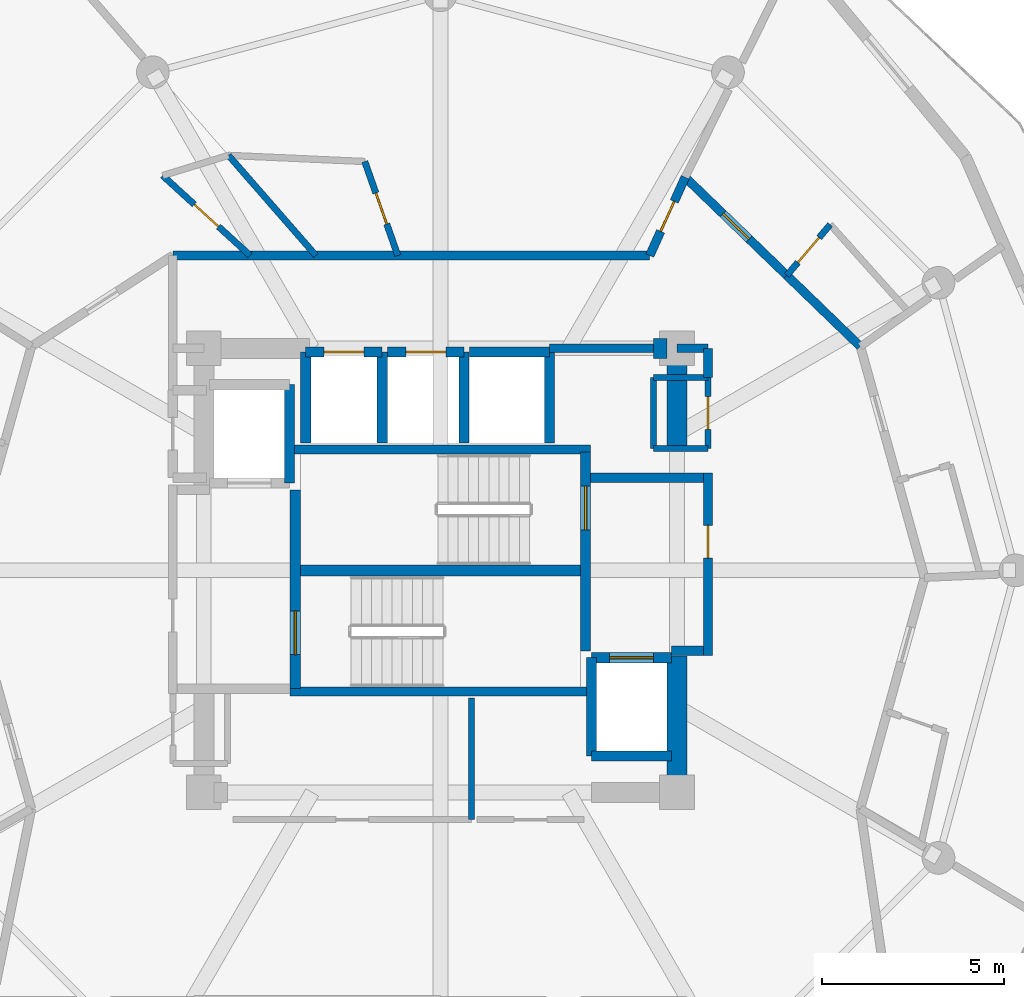
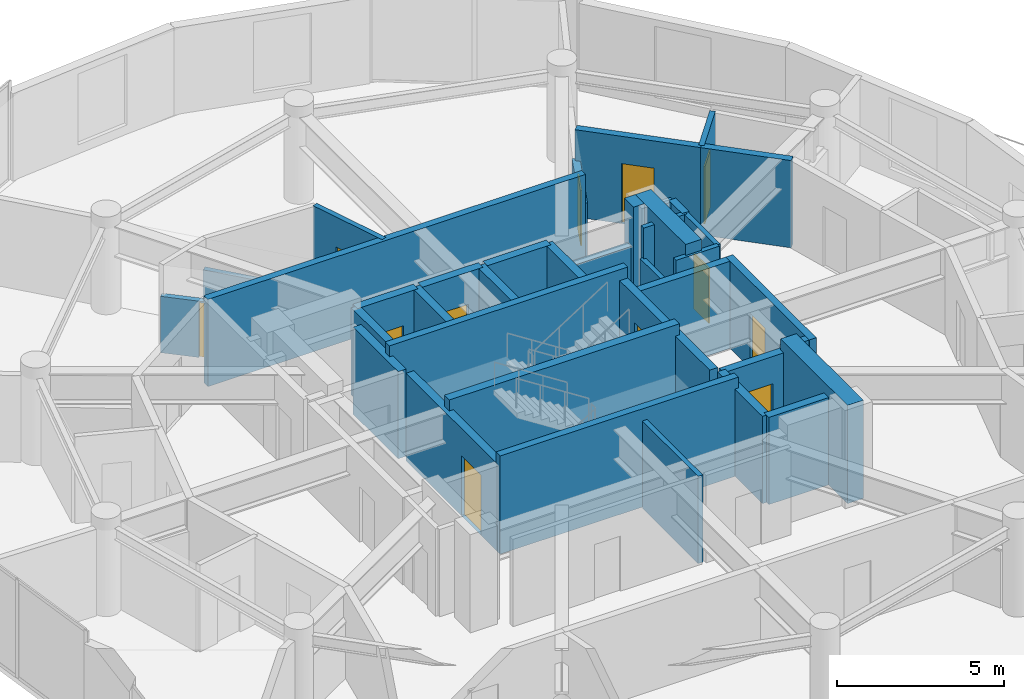
# One storey, part 18 of 22: 38 walls, 12 doors, 12 openings.
"""IFC4 building model written with IfcOpenShell, lengths in metres."""

from ifc_helpers import new_model, si_unit, direction, frame, frame_2d, origin, place, context, subcontext, project, spatial, rectangle, extrude, material, layer, layer_set, type_object, element, fill, save


model = new_model("IFC4")

# Units and contexts
model_context = context("Model", 3, precision=1e-05, world=origin(), true_north=direction((0.0, 1.0)))
body_context = subcontext(model_context, "Body", "Model", "MODEL_VIEW")
ifc_project = project(units=[si_unit("LENGTHUNIT", "METRE"), si_unit("AREAUNIT", "SQUARE_METRE"), si_unit("VOLUMEUNIT", "CUBIC_METRE"), si_unit("PLANEANGLEUNIT", "RADIAN"), si_unit("MASSUNIT", "GRAM", prefix="KILO")], contexts=[model_context])

# Site, building, storey
site_placement = place(None, origin())
site = spatial("IfcSite", under=ifc_project, at=site_placement, CompositionType="ELEMENT")
building_placement = place(site_placement, origin())
building = spatial("IfcBuilding", under=site, at=building_placement, Name="Solvirekh Grand Hotel", CompositionType="ELEMENT")
storey_placement = place(building_placement, frame((0.0, 0.0, 230.800048828125)))
storey = spatial("IfcBuildingStorey", under=building, at=storey_placement, Name="L60", CompositionType="ELEMENT", Elevation=230.800048828125)

# Walls
ifc_material_1 = material(Name="Concrete C50/60", Category="concrete")
ifc_layer_1 = layer(ifc_material_1, 0.35009765625)
ifc_layer_set_1 = layer_set([ifc_layer_1], Name="Concrete C50/60")
wall_type_1 = type_object("IfcWallType", Name="CoreDivWall_RC350", PredefinedType="SOLIDWALL", material=ifc_layer_set_1)
for number, where, z_axis, x_axis, name in (
    (1, (-4.1298828125, -3.324951171875, 0.0), (0.0, 0.0, 1.0), (1.0, 0.0, 0.0), "L60 core stair box wall ST-S"),
    (2, (-4.1298828125, 3.324951171875, 0.0), (0.0, 0.0, 1.0), (1.0, 0.0, 0.0), "L60 core stair box wall ST-N"),
):
    element("IfcWall", number, at=place(storey_placement, frame(where, z_axis=z_axis, x_axis=x_axis)), inside=storey, type_object=wall_type_1, Name=name, PredefinedType="SOLIDWALL", context=body_context, shape_type="SweptSolid", body=[
        extrude(rectangle(XDim=8.259765625, YDim=0.25, at=frame_2d((4.1298828125, 0.0))), origin(), (0.0, 0.0, 1.0), 3.599853515625),
    ])

# Wall, opening, door
ifc_material_2 = material(Name="Concrete C40/50", Category="concrete")
ifc_layer_2 = layer(ifc_material_2, 0.280029296875)
ifc_layer_set_2 = layer_set([ifc_layer_2], Name="Concrete C40/50")
wall_type_2 = type_object("IfcWallType", Name="CoreShaftWall_RC280", PredefinedType="SOLIDWALL", material=ifc_layer_set_2)
wall_1_placement = place(storey_placement, frame((-1.60009765625, 6.0, 0.0), z_axis=(0.0, 0.0, 1.0), x_axis=(-1.0, 0.0, 0.0)))
wall_1 = element("IfcWall", 3, at=wall_1_placement, inside=storey, type_object=wall_type_2, Name="L60 HP-1 hoistway N wall", PredefinedType="SOLIDWALL", context=body_context, shape_type="SweptSolid", body=[
    extrude(rectangle(XDim=2.099853515625, YDim=0.280029296875, at=frame_2d((1.0498046875, 0.0))), origin(), (0.0, 0.0, 1.0), 3.199951171875),
])
opening_1_placement = place(wall_1_placement, frame((0.5, 0.0, 0.0)))
opening_1 = element("IfcOpeningElement", 4, at=opening_1_placement, cuts=wall_1, Name="Opening LD03", PredefinedType="OPENING", context=body_context, shape_type="SweptSolid", body=[
    extrude(rectangle(XDim=1.10009765625, YDim=2.02001953125, at=frame_2d((0.550048828125, 1.010009765625))), frame((0.0, 0.14990234375, 0.0), z_axis=(0.0, -1.0, 0.0), x_axis=(1.0, 0.0, 0.0)), (0.0, 0.0, 1.0), 0.300048828125),
])
ifc_material_3 = material(Name="Fire-Rated Steel Door Assembly", Category="steel")
door_type_1 = type_object("IfcDoorType", Name="Door_LiftLow_1100X2020", OperationType="SLIDING_TO_LEFT", PredefinedType="DOOR", material=ifc_material_3)
door_1_placement = place(opening_1_placement, origin())
door_1 = element("IfcDoor", 5, at=door_1_placement, inside=storey, type_object=door_type_1, Name="L60 HP-1 sliding lift landing door", OperationType="SLIDING_TO_LEFT", OverallHeight=2.02001953125, OverallWidth=1.10009765625, PredefinedType="DOOR", context=body_context, shape_type="SweptSolid", body=[
    extrude(rectangle(XDim=1.10009765625, YDim=2.02001953125, at=frame_2d((0.550048828125, 1.010009765625))), frame((0.0, 0.02490234375, 0.0), z_axis=(0.0, -1.0, 0.0), x_axis=(1.0, 0.0, 0.0)), (0.0, 0.0, 1.0), 0.050048828125),
])
fill(opening_1, door_1)

# Walls
for number, where, z_axis, x_axis, name in (
    (6, (-3.699951171875, 6.0, 0.0), (0.0, 0.0, 1.0), (0.0, -1.0, 0.0), "L60 HP-1 hoistway W wall"),
    (7, (-1.60009765625, 3.5, 0.0), (0.0, 0.0, 1.0), (0.0, 1.0, 0.0), "L60 HP-1 hoistway E wall"),
):
    element("IfcWall", number, at=place(storey_placement, frame(where, z_axis=z_axis, x_axis=x_axis)), inside=storey, type_object=wall_type_2, Name=name, PredefinedType="SOLIDWALL", context=body_context, shape_type="SweptSolid", body=[
        extrude(rectangle(XDim=2.5, YDim=0.280029296875, at=frame_2d((1.25, 0.0))), origin(), (0.0, 0.0, 1.0), 3.199951171875),
    ])

# Wall, opening, door
wall_2_placement = place(storey_placement, frame((0.64990234375, 6.0, 0.0), z_axis=(0.0, 0.0, 1.0), x_axis=(-1.0, 0.0, 0.0)))
wall_2 = element("IfcWall", 8, at=wall_2_placement, inside=storey, type_object=wall_type_2, Name="L60 HP-2 hoistway N wall", PredefinedType="SOLIDWALL", context=body_context, shape_type="SweptSolid", body=[
    extrude(rectangle(XDim=2.099853515625, YDim=0.280029296875, at=frame_2d((1.0498046875, 0.0))), origin(), (0.0, 0.0, 1.0), 3.199951171875),
])
opening_2_placement = place(wall_2_placement, frame((0.5, 0.0, 0.0)))
opening_2 = element("IfcOpeningElement", 9, at=opening_2_placement, cuts=wall_2, Name="Opening LD03", PredefinedType="OPENING", context=body_context, shape_type="SweptSolid", body=[
    extrude(rectangle(XDim=1.10009765625, YDim=2.02001953125, at=frame_2d((0.550048828125, 1.010009765625))), frame((0.0, 0.14990234375, 0.0), z_axis=(0.0, -1.0, 0.0), x_axis=(1.0, 0.0, 0.0)), (0.0, 0.0, 1.0), 0.300048828125),
])
door_2_placement = place(opening_2_placement, origin())
door_2 = element("IfcDoor", 10, at=door_2_placement, inside=storey, type_object=door_type_1, Name="L60 HP-2 sliding lift landing door", OperationType="SLIDING_TO_LEFT", OverallHeight=2.02001953125, OverallWidth=1.10009765625, PredefinedType="DOOR", context=body_context, shape_type="SweptSolid", body=[
    extrude(rectangle(XDim=1.10009765625, YDim=2.02001953125, at=frame_2d((0.550048828125, 1.010009765625))), frame((0.0, 0.02490234375, 0.0), z_axis=(0.0, -1.0, 0.0), x_axis=(1.0, 0.0, 0.0)), (0.0, 0.0, 1.0), 0.050048828125),
])
fill(opening_2, door_2)

# Walls
wall_3_placement = place(storey_placement, frame((0.64990234375, 3.5, 0.0), z_axis=(0.0, 0.0, 1.0), x_axis=(0.0, 1.0, 0.0)))
element("IfcWall", 11, at=wall_3_placement, inside=storey, type_object=wall_type_2, Name="L60 HP-2 hoistway E wall", PredefinedType="SOLIDWALL", context=body_context, shape_type="SweptSolid", body=[
    extrude(rectangle(XDim=2.5, YDim=0.280029296875, at=frame_2d((1.25, 0.0))), origin(), (0.0, 0.0, 1.0), 3.199951171875),
])
wall_4_placement = place(storey_placement, frame((3.0, 6.0, 0.0), z_axis=(0.0, 0.0, 1.0), x_axis=(-1.0, 0.0, 0.0)))
element("IfcWall", 12, at=wall_4_placement, inside=storey, type_object=wall_type_2, Name="L60 EX-1 hoistway N wall", PredefinedType="SOLIDWALL", context=body_context, shape_type="SweptSolid", body=[
    extrude(rectangle(XDim=2.199951171875, YDim=0.280029296875, at=frame_2d((1.10009765625, 0.0))), origin(), (0.0, 0.0, 1.0), 3.199951171875),
])
wall_5_placement = place(storey_placement, frame((3.0, 3.5, 0.0), z_axis=(0.0, 0.0, 1.0), x_axis=(0.0, 1.0, 0.0)))
element("IfcWall", 13, at=wall_5_placement, inside=storey, type_object=wall_type_2, Name="L60 EX-1 hoistway E wall", PredefinedType="SOLIDWALL", context=body_context, shape_type="SweptSolid", body=[
    extrude(rectangle(XDim=2.5, YDim=0.280029296875, at=frame_2d((1.25, 0.0))), origin(), (0.0, 0.0, 1.0), 3.199951171875),
])
wall_6_placement = place(storey_placement, frame((-4.14990234375, 2.39990234375, 0.0), z_axis=(0.0, 0.0, 1.0), x_axis=(0.0, 1.0, 0.0)))
element("IfcWall", 14, at=wall_6_placement, inside=storey, type_object=wall_type_2, Name="L60 FL-1 hoistway E wall", PredefinedType="SOLIDWALL", context=body_context, shape_type="SweptSolid", body=[
    extrude(rectangle(XDim=2.7001953125, YDim=0.280029296875, at=frame_2d((1.35009765625, 0.0))), origin(), (0.0, 0.0, 1.0), 3.199951171875),
])
wall_7_placement = place(storey_placement, frame((4.14990234375, -5.10009765625, 0.0), z_axis=(0.0, 0.0, 1.0), x_axis=(1.0, 0.0, 0.0)))
element("IfcWall", 15, at=wall_7_placement, inside=storey, type_object=wall_type_2, Name="L60 FL-2 hoistway S wall", PredefinedType="SOLIDWALL", context=body_context, shape_type="SweptSolid", body=[
    extrude(rectangle(XDim=2.2001953125, YDim=0.280029296875, at=frame_2d((1.10009765625, 0.0))), origin(), (0.0, 0.0, 1.0), 3.199951171875),
])

# Wall, opening, door
wall_8_placement = place(storey_placement, frame((6.35009765625, -2.39990234375, 0.0), z_axis=(0.0, 0.0, 1.0), x_axis=(-1.0, 0.0, 0.0)))
wall_8 = element("IfcWall", 16, at=wall_8_placement, inside=storey, type_object=wall_type_2, Name="L60 FL-2 hoistway N wall", PredefinedType="SOLIDWALL", context=body_context, shape_type="SweptSolid", body=[
    extrude(rectangle(XDim=2.2001953125, YDim=0.280029296875, at=frame_2d((1.10009765625, 0.0))), origin(), (0.0, 0.0, 1.0), 3.199951171875),
])
opening_3_placement = place(wall_8_placement, frame((0.5, 0.0, 0.0)))
opening_3 = element("IfcOpeningElement", 17, at=opening_3_placement, cuts=wall_8, Name="Opening LD02", PredefinedType="OPENING", context=body_context, shape_type="SweptSolid", body=[
    extrude(rectangle(XDim=1.199951171875, YDim=2.199951171875, at=frame_2d((0.60009765625, 1.10009765625))), frame((0.0, 0.14990234375, 0.0), z_axis=(0.0, -1.0, 0.0), x_axis=(1.0, 0.0, 0.0)), (0.0, 0.0, 1.0), 0.300048828125),
])
door_type_2 = type_object("IfcDoorType", Name="Door_LiftFF_1200X2200", OperationType="SLIDING_TO_LEFT", PredefinedType="DOOR", material=ifc_material_3)
door_3_placement = place(opening_3_placement, origin())
door_3 = element("IfcDoor", 18, at=door_3_placement, inside=storey, type_object=door_type_2, Name="L60 FL-2 sliding lift landing door", OperationType="SLIDING_TO_LEFT", OverallHeight=2.199951171875, OverallWidth=1.199951171875, PredefinedType="DOOR", context=body_context, shape_type="SweptSolid", body=[
    extrude(rectangle(XDim=1.199951171875, YDim=2.199951171875, at=frame_2d((0.60009765625, 1.10009765625))), frame((0.0, 0.02490234375, 0.0), z_axis=(0.0, -1.0, 0.0), x_axis=(1.0, 0.0, 0.0)), (0.0, 0.0, 1.0), 0.050048828125),
])
fill(opening_3, door_3)

# Wall
wall_9_placement = place(storey_placement, frame((4.14990234375, -2.39990234375, 0.0), z_axis=(0.0, 0.0, 1.0), x_axis=(0.0, -1.0, 0.0)))
element("IfcWall", 19, at=wall_9_placement, inside=storey, type_object=wall_type_2, Name="L60 FL-2 hoistway W wall", PredefinedType="SOLIDWALL", context=body_context, shape_type="SweptSolid", body=[
    extrude(rectangle(XDim=2.7001953125, YDim=0.280029296875, at=frame_2d((1.35009765625, 0.0))), origin(), (0.0, 0.0, 1.0), 3.199951171875),
])

# Wall, opening, door
wall_10_placement = place(storey_placement, frame((-3.989990234375, -3.25, 0.0), z_axis=(0.0, 0.0, 1.0), x_axis=(0.0, 1.0, 0.0)))
wall_10 = element("IfcWall", 20, at=wall_10_placement, inside=storey, type_object=wall_type_2, Name="L60 west stair landing enclosure wall", PredefinedType="SOLIDWALL", context=body_context, shape_type="SweptSolid", body=[
    extrude(rectangle(XDim=5.4599609375, YDim=0.280029296875, at=frame_2d((2.72998046875, 0.0))), origin(), (0.0, 0.0, 1.0), 3.199951171875),
])
opening_4_placement = place(wall_10_placement, frame((0.93701171875, 0.0, 0.0)))
opening_4 = element("IfcOpeningElement", 21, at=opening_4_placement, cuts=wall_10, Name="Opening D05", PredefinedType="OPENING", context=body_context, shape_type="SweptSolid", body=[
    extrude(rectangle(XDim=1.199951171875, YDim=2.199951171875, at=frame_2d((0.60009765625, 1.10009765625))), frame((0.0, 0.14990234375, 0.0), z_axis=(0.0, -1.0, 0.0), x_axis=(1.0, 0.0, 0.0)), (0.0, 0.0, 1.0), 0.300048828125),
])
door_type_3 = type_object("IfcDoorType", Name="Door_StairCore_1200X2200", OperationType="NOTDEFINED", PredefinedType="DOOR", material=ifc_material_3)
door_4_placement = place(opening_4_placement, origin())
door_4 = element("IfcDoor", 22, at=door_4_placement, inside=storey, type_object=door_type_3, Name="L60 exit stair ST-1 fire door", OperationType="SINGLE_SWING_RIGHT", OverallHeight=2.199951171875, OverallWidth=1.199951171875, PredefinedType="DOOR", context=body_context, shape_type="SweptSolid", body=[
    extrude(rectangle(XDim=1.199951171875, YDim=2.199951171875, at=frame_2d((0.60009765625, 1.10009765625))), frame((0.0, 0.02490234375, 0.0), z_axis=(0.0, -1.0, 0.0), x_axis=(1.0, 0.0, 0.0)), (0.0, 0.0, 1.0), 0.050048828125),
])
fill(opening_4, door_4)

wall_11_placement = place(storey_placement, frame((3.989990234375, -2.2099609375, 0.0), z_axis=(0.0, 0.0, 1.0), x_axis=(0.0, 1.0, 0.0)))
wall_11 = element("IfcWall", 23, at=wall_11_placement, inside=storey, type_object=wall_type_2, Name="L60 east stair landing enclosure wall", PredefinedType="SOLIDWALL", context=body_context, shape_type="SweptSolid", body=[
    extrude(rectangle(XDim=5.4599609375, YDim=0.280029296875, at=frame_2d((2.72998046875, 0.0))), origin(), (0.0, 0.0, 1.0), 3.199951171875),
])
opening_5_placement = place(wall_11_placement, frame((3.322998046875, 0.0, 0.0)))
opening_5 = element("IfcOpeningElement", 24, at=opening_5_placement, cuts=wall_11, Name="Opening D05", PredefinedType="OPENING", context=body_context, shape_type="SweptSolid", body=[
    extrude(rectangle(XDim=1.199951171875, YDim=2.199951171875, at=frame_2d((0.60009765625, 1.10009765625))), frame((0.0, 0.14990234375, 0.0), z_axis=(0.0, -1.0, 0.0), x_axis=(1.0, 0.0, 0.0)), (0.0, 0.0, 1.0), 0.300048828125),
])
door_5_placement = place(opening_5_placement, origin())
door_5 = element("IfcDoor", 25, at=door_5_placement, inside=storey, type_object=door_type_3, Name="L60 exit stair ST-2 fire door", OperationType="SINGLE_SWING_LEFT", OverallHeight=2.199951171875, OverallWidth=1.199951171875, PredefinedType="DOOR", context=body_context, shape_type="SweptSolid", body=[
    extrude(rectangle(XDim=1.199951171875, YDim=2.199951171875, at=frame_2d((0.60009765625, 1.10009765625))), frame((0.0, 0.02490234375, 0.0), z_axis=(0.0, -1.0, 0.0), x_axis=(1.0, 0.0, 0.0)), (0.0, 0.0, 1.0), 0.050048828125),
])
fill(opening_5, door_5)

# Walls
ifc_layer_3 = layer(ifc_material_1, 0.550048828125)
ifc_layer_set_3 = layer_set([ifc_layer_3], Name="Concrete C50/60")
wall_type_3 = type_object("IfcWallType", Name="CoreWall_RC550", PredefinedType="SHEAR", material=ifc_layer_set_3)
wall_12_placement = place(storey_placement, frame((-3.989990234375, 0.0, 0.0), z_axis=(0.0, 0.0, 1.0), x_axis=(1.0, 0.0, 0.0)))
element("IfcWall", 26, at=wall_12_placement, inside=storey, type_object=wall_type_3, Name="L60 central stair-spine shear wall", PredefinedType="SHEAR", context=body_context, shape_type="SweptSolid", body=[
    extrude(rectangle(XDim=7.97998046875, YDim=0.300048828125, at=frame_2d((3.989990234375, 0.0))), origin(), (0.0, 0.0, 1.0), 3.599853515625),
])
wall_13_placement = place(storey_placement, frame((5.85009765625, 6.10009765625, 0.0), z_axis=(0.0, 0.0, 1.0), x_axis=(1.0, 0.0, 0.0)))
element("IfcWall", 27, at=wall_13_placement, inside=storey, type_object=wall_type_3, Name="L60 core corner shear wall NE-N", PredefinedType="SHEAR", context=body_context, shape_type="SweptSolid", body=[
    extrude(rectangle(XDim=0.375, YDim=0.550048828125, at=frame_2d((0.1875, 0.0))), origin(), (0.0, 0.0, 1.0), 3.599853515625),
])
wall_14_placement = place(storey_placement, frame((6.5, -6.375, 0.0), z_axis=(0.0, 0.0, 1.0), x_axis=(0.0, 1.0, 0.0)))
element("IfcWall", 28, at=wall_14_placement, inside=storey, type_object=wall_type_3, Name="L60 core corner shear wall ES-E", PredefinedType="SHEAR", context=body_context, shape_type="SweptSolid", body=[
    extrude(rectangle(XDim=4.02490234375, YDim=0.550048828125, at=frame_2d((2.012451171875, 0.0))), origin(), (0.0, 0.0, 1.0), 3.599853515625),
])
wall_15_placement = place(storey_placement, frame((6.5, 3.35009765625, 0.0), z_axis=(0.0, 0.0, 1.0), x_axis=(0.0, 1.0, 0.0)))
element("IfcWall", 29, at=wall_15_placement, inside=storey, type_object=wall_type_3, Name="L60 core corner shear wall EN-E", PredefinedType="SHEAR", context=body_context, shape_type="SweptSolid", body=[
    extrude(rectangle(XDim=3.02490234375, YDim=0.550048828125, at=frame_2d((1.512451171875, 0.0))), origin(), (0.0, 0.0, 1.0), 3.599853515625),
])
ifc_material_4 = material(Name="Acoustic Gypsum Partition Assembly")
ifc_layer_4 = layer(ifc_material_4, 0.1650390625)
ifc_layer_set_4 = layer_set([ifc_layer_4], Name="Acoustic Gypsum Partition Assembly")
wall_type_4 = type_object("IfcWallType", Name="Part_BOH_165", PredefinedType="PARTITIONING", material=ifc_layer_set_4)
wall_16_placement = place(storey_placement, frame((5.85009765625, 3.35009765625, 0.0), z_axis=(0.0, 0.0, 1.0), x_axis=(1.0, 0.0, 0.0)))
element("IfcWall", 30, at=wall_16_placement, inside=storey, type_object=wall_type_4, Name="L60 L60 Core Housekeeping Room wall 1", PredefinedType="PARTITIONING", context=body_context, shape_type="SweptSolid", body=[
    extrude(rectangle(XDim=1.5, YDim=0.1650390625, at=frame_2d((0.75, 0.0))), origin(), (0.0, 0.0, 1.0), 3.199951171875),
])

# Wall, opening, door
wall_17_placement = place(storey_placement, frame((7.35009765625, 3.35009765625, 0.0), z_axis=(0.0, 0.0, 1.0), x_axis=(0.0, 1.0, 0.0)))
wall_17 = element("IfcWall", 31, at=wall_17_placement, inside=storey, type_object=wall_type_4, Name="L60 L60 Core Housekeeping Room wall 2", PredefinedType="PARTITIONING", context=body_context, shape_type="SweptSolid", body=[
    extrude(rectangle(XDim=1.949951171875, YDim=0.1650390625, at=frame_2d((0.97509765625, 0.0))), origin(), (0.0, 0.0, 1.0), 3.199951171875),
])
opening_6_placement = place(wall_17_placement, frame((0.52490234375, 0.0, 0.0)))
opening_6 = element("IfcOpeningElement", 32, at=opening_6_placement, cuts=wall_17, Name="Opening D14", PredefinedType="OPENING", context=body_context, shape_type="SweptSolid", body=[
    extrude(rectangle(XDim=0.89990234375, YDim=2.02001953125, at=frame_2d((0.449951171875, 1.010009765625))), frame((0.0, 0.092529296875, 0.0), z_axis=(0.0, -1.0, 0.0), x_axis=(1.0, 0.0, 0.0)), (0.0, 0.0, 1.0), 0.18505859375),
])
door_type_4 = type_object("IfcDoorType", Name="Door_LowHeadroom_900X2020", OperationType="NOTDEFINED", PredefinedType="DOOR", material=ifc_material_3)
door_6_placement = place(opening_6_placement, origin())
door_6 = element("IfcDoor", 33, at=door_6_placement, inside=storey, type_object=door_type_4, Name="L60 L60 Core Housekeeping Room door", OperationType="SINGLE_SWING_RIGHT", OverallHeight=2.02001953125, OverallWidth=0.89990234375, PredefinedType="DOOR", context=body_context, shape_type="SweptSolid", body=[
    extrude(rectangle(XDim=0.89990234375, YDim=2.02001953125, at=frame_2d((0.449951171875, 1.010009765625))), frame((0.0, 0.02490234375, 0.0), z_axis=(0.0, -1.0, 0.0), x_axis=(1.0, 0.0, 0.0)), (0.0, 0.0, 1.0), 0.050048828125),
])
fill(opening_6, door_6)

# Walls
wall_18_placement = place(storey_placement, frame((7.35009765625, 5.300048828125, 0.0), z_axis=(0.0, 0.0, 1.0), x_axis=(-1.0, 0.0, 0.0)))
element("IfcWall", 34, at=wall_18_placement, inside=storey, type_object=wall_type_4, Name="L60 L60 Core Housekeeping Room wall 3", PredefinedType="PARTITIONING", context=body_context, shape_type="SweptSolid", body=[
    extrude(rectangle(XDim=1.5, YDim=0.1650390625, at=frame_2d((0.75, 0.0))), origin(), (0.0, 0.0, 1.0), 3.199951171875),
])
wall_19_placement = place(storey_placement, frame((5.85009765625, 5.300048828125, 0.0), z_axis=(0.0, 0.0, 1.0), x_axis=(0.0, -1.0, 0.0)))
element("IfcWall", 35, at=wall_19_placement, inside=storey, type_object=wall_type_4, Name="L60 L60 Core Housekeeping Room wall 4", PredefinedType="PARTITIONING", context=body_context, shape_type="SweptSolid", body=[
    extrude(rectangle(XDim=1.949951171875, YDim=0.1650390625, at=frame_2d((0.97509765625, 0.0))), origin(), (0.0, 0.0, 1.0), 2.06689453125),
])
wall_20_placement = place(storey_placement, frame((0.85009765625, -6.85009765625, 0.0), z_axis=(0.0, 0.0, 1.0), x_axis=(0.0, 1.0, 0.0)))
element("IfcWall", 36, at=wall_20_placement, inside=storey, type_object=wall_type_4, Name="L60 Housekeeping Linen Room wall 2", PredefinedType="PARTITIONING", context=body_context, shape_type="SweptSolid", body=[
    extrude(rectangle(XDim=3.35009765625, YDim=0.1650390625, at=frame_2d((1.675048828125, 0.0))), origin(), (0.0, 0.0, 1.0), 3.199951171875),
])

# Wall, opening, door
ifc_layer_5 = layer(ifc_material_4, 0.239990234375)
ifc_layer_set_5 = layer_set([ifc_layer_5], Name="Acoustic Gypsum Partition Assembly")
wall_type_5 = type_object("IfcWallType", Name="Part_Corridor_240", PredefinedType="PARTITIONING", material=ifc_layer_set_5)
wall_21_placement = place(storey_placement, frame((7.35009765625, -2.340087890625, 0.0), z_axis=(0.0, 0.0, 1.0), x_axis=(0.0, 1.0, 0.0)))
wall_21 = element("IfcWall", 37, at=wall_21_placement, inside=storey, type_object=wall_type_5, Name="L60 east firefighting lobby smoke screen wall", PredefinedType="PARTITIONING", context=body_context, shape_type="SweptSolid", body=[
    extrude(rectangle(XDim=5.02001953125, YDim=0.239990234375, at=frame_2d((2.510009765625, 0.0))), origin(), (0.0, 0.0, 1.0), 3.199951171875),
])
opening_7_placement = place(wall_21_placement, frame((2.677978515625, 0.0, 0.0)))
opening_7 = element("IfcOpeningElement", 38, at=opening_7_placement, cuts=wall_21, Name="Opening D14", PredefinedType="OPENING", context=body_context, shape_type="SweptSolid", body=[
    extrude(rectangle(XDim=0.89990234375, YDim=2.02001953125, at=frame_2d((0.449951171875, 1.010009765625))), frame((0.0, 0.1298828125, 0.0), z_axis=(0.0, -1.0, 0.0), x_axis=(1.0, 0.0, 0.0)), (0.0, 0.0, 1.0), 0.260009765625),
])
door_7_placement = place(opening_7_placement, origin())
door_7 = element("IfcDoor", 39, at=door_7_placement, inside=storey, type_object=door_type_4, Name="L60 east firefighting lobby smoke door", OperationType="SINGLE_SWING_LEFT", OverallHeight=2.02001953125, OverallWidth=0.89990234375, PredefinedType="DOOR", context=body_context, shape_type="SweptSolid", body=[
    extrude(rectangle(XDim=0.89990234375, YDim=2.02001953125, at=frame_2d((0.449951171875, 1.010009765625))), frame((0.0, 0.02490234375, 0.0), z_axis=(0.0, -1.0, 0.0), x_axis=(1.0, 0.0, 0.0)), (0.0, 0.0, 1.0), 0.050048828125),
])
fill(opening_7, door_7)

# Walls
wall_22_placement = place(storey_placement, frame((-7.35009765625, 8.64990234375, 0.0), z_axis=(0.0, 0.0, 1.0), x_axis=(1.0, 0.0, 0.0)))
element("IfcWall", 40, at=wall_22_placement, inside=storey, type_object=wall_type_5, Name="L60 north lift lobby enclosure wall", PredefinedType="PARTITIONING", context=body_context, shape_type="SweptSolid", body=[
    extrude(rectangle(XDim=13.10009765625, YDim=0.239990234375, at=frame_2d((6.550048828125, 0.0))), origin(), (0.0, 0.0, 1.0), 3.199951171875),
])
wall_23_placement = place(storey_placement, frame((3.0, 6.10009765625, 0.0), z_axis=(0.0, 0.0, 1.0), x_axis=(1.0, 0.0, 0.0)))
element("IfcWall", 41, at=wall_23_placement, inside=storey, type_object=wall_type_5, Name="L60 north core shaft infill wall", PredefinedType="PARTITIONING", context=body_context, shape_type="SweptSolid", body=[
    extrude(rectangle(XDim=2.85009765625, YDim=0.239990234375, at=frame_2d((1.425048828125, 0.0))), origin(), (0.0, 0.0, 1.0), 2.06689453125),
])
wall_24_placement = place(storey_placement, frame((7.35009765625, 5.300048828125, 0.0), z_axis=(0.0, 0.0, 1.0), x_axis=(0.0, 1.0, 0.0)))
element("IfcWall", 42, at=wall_24_placement, inside=storey, type_object=wall_type_5, Name="L60 NE core cheek closure wall", PredefinedType="PARTITIONING", context=body_context, shape_type="SweptSolid", body=[
    extrude(rectangle(XDim=0.800048828125, YDim=0.239990234375, at=frame_2d((0.39990234375, 0.0))), origin(), (0.0, 0.0, 1.0), 3.199951171875),
])
wall_25_placement = place(storey_placement, frame((6.5, 6.10009765625, 0.0), z_axis=(0.0, 0.0, 1.0), x_axis=(1.0, 0.0, 0.0)))
element("IfcWall", 43, at=wall_25_placement, inside=storey, type_object=wall_type_5, Name="L60 NE core corner tie wall", PredefinedType="PARTITIONING", context=body_context, shape_type="SweptSolid", body=[
    extrude(rectangle(XDim=0.85009765625, YDim=0.239990234375, at=frame_2d((0.425048828125, 0.0))), origin(), (0.0, 0.0, 1.0), 3.199951171875),
])

# Wall, opening, door
wall_26_placement = place(storey_placement, frame((5.75, 8.64990234375, 0.0), z_axis=(0.0, 0.0, 1.0), x_axis=(0.413171528251, 0.910653220629, 0.0)))
wall_26 = element("IfcWall", 44, at=wall_26_placement, inside=storey, type_object=wall_type_5, Name="L60 Panorama Suite 6201 entrance wall", PredefinedType="PARTITIONING", context=body_context, shape_type="SweptSolid", body=[
    extrude(rectangle(XDim=2.360107421875, YDim=0.239990234375, at=frame_2d((1.18017578125, 0.0))), origin(), (0.0, 0.0, 1.0), 2.06689453125),
])
opening_8_placement = place(wall_26_placement, frame((0.72998046875, 0.0, 0.0)))
opening_8 = element("IfcOpeningElement", 45, at=opening_8_placement, cuts=wall_26, Name="Opening D14", PredefinedType="OPENING", context=body_context, shape_type="SweptSolid", body=[
    extrude(rectangle(XDim=0.89990234375, YDim=2.02001953125, at=frame_2d((0.449951171875, 1.010009765625))), frame((0.0, 0.1298828125, 0.0), z_axis=(0.0, -1.0, 0.0), x_axis=(1.0, 0.0, 0.0)), (0.0, 0.0, 1.0), 0.260009765625),
])
door_8_placement = place(opening_8_placement, origin())
door_8 = element("IfcDoor", 46, at=door_8_placement, inside=storey, type_object=door_type_4, Name="L60 Panorama Suite 6201 entrance door", OperationType="SINGLE_SWING_RIGHT", OverallHeight=2.02001953125, OverallWidth=0.89990234375, PredefinedType="DOOR", context=body_context, shape_type="SweptSolid", body=[
    extrude(rectangle(XDim=0.89990234375, YDim=2.02001953125, at=frame_2d((0.449951171875, 1.010009765625))), frame((0.0, 0.02490234375, 0.0), z_axis=(0.0, -1.0, 0.0), x_axis=(1.0, 0.0, 0.0)), (0.0, 0.0, 1.0), 0.050048828125),
])
fill(opening_8, door_8)

# Wall
wall_27_placement = place(storey_placement, frame((11.5380859375, 6.14990234375, 0.0), z_axis=(0.0, 0.0, 1.0), x_axis=(-0.719078080202, 0.694929287463, 0.0)))
element("IfcWall", 47, at=wall_27_placement, inside=storey, type_object=wall_type_5, Name="L60 En-suite Bathroom 6207 corridor backing wall", PredefinedType="PARTITIONING", context=body_context, shape_type="SweptSolid", body=[
    extrude(rectangle(XDim=2.810546875, YDim=0.239990234375, at=frame_2d((1.4052734375, 0.0))), origin(), (0.0, 0.0, 1.0), 3.199951171875),
])

# Wall, opening, door
wall_28_placement = place(storey_placement, frame((9.51708984375, 8.10302734375, 0.0), z_axis=(0.0, 0.0, 1.0), x_axis=(-0.719359188441, 0.694638292931, 0.0)))
wall_28 = element("IfcWall", 48, at=wall_28_placement, inside=storey, type_object=wall_type_5, Name="L60 Deluxe Guestroom 6207 entrance wall", PredefinedType="PARTITIONING", context=body_context, shape_type="SweptSolid", body=[
    extrude(rectangle(XDim=3.881103515625, YDim=0.239990234375, at=frame_2d((1.9404296875, 0.0))), origin(), (0.0, 0.0, 1.0), 3.199951171875),
])
opening_9_placement = place(wall_28_placement, frame((1.44091796875, 0.0, 0.0)))
opening_9 = element("IfcOpeningElement", 49, at=opening_9_placement, cuts=wall_28, Name="Opening D07", PredefinedType="OPENING", context=body_context, shape_type="SweptSolid", body=[
    extrude(rectangle(XDim=1.0, YDim=2.199951171875, at=frame_2d((0.5, 1.10009765625))), frame((0.0, 0.1298828125, 0.0), z_axis=(0.0, -1.0, 0.0), x_axis=(1.0, 0.0, 0.0)), (0.0, 0.0, 1.0), 0.260009765625),
])
door_type_5 = type_object("IfcDoorType", Name="Door_GuestEntry_1000X2200", OperationType="NOTDEFINED", PredefinedType="DOOR", material=ifc_material_3)
door_9_placement = place(opening_9_placement, origin())
door_9 = element("IfcDoor", 50, at=door_9_placement, inside=storey, type_object=door_type_5, Name="L60 Deluxe Guestroom 6207 entrance door", OperationType="SINGLE_SWING_RIGHT", OverallHeight=2.199951171875, OverallWidth=1.0, PredefinedType="DOOR", context=body_context, shape_type="SweptSolid", body=[
    extrude(rectangle(XDim=1.0, YDim=2.199951171875, at=frame_2d((0.5, 1.10009765625))), frame((0.0, 0.02490234375, 0.0), z_axis=(0.0, -1.0, 0.0), x_axis=(1.0, 0.0, 0.0)), (0.0, 0.0, 1.0), 0.050048828125),
])
fill(opening_9, door_9)

# Walls
ifc_layer_6 = layer(ifc_material_4, 0.260009765625)
ifc_layer_set_6 = layer_set([ifc_layer_6], Name="Acoustic Gypsum Partition Assembly")
wall_type_6 = type_object("IfcWallType", Name="Part_LobbyFF_260", PredefinedType="PARTITIONING", material=ifc_layer_set_6)
wall_29_placement = place(storey_placement, frame((6.35009765625, -2.2099609375, 0.0), z_axis=(0.0, 0.0, 1.0), x_axis=(1.0, 0.0, 0.0)))
element("IfcWall", 51, at=wall_29_placement, inside=storey, type_object=wall_type_6, Name="L60 east firefighting lobby SE cheek", PredefinedType="PARTITIONING", context=body_context, shape_type="SweptSolid", body=[
    extrude(rectangle(XDim=0.875, YDim=0.260009765625, at=frame_2d((0.4375, 0.0))), origin(), (0.0, 0.0, 1.0), 3.199951171875),
])
wall_30_placement = place(storey_placement, frame((4.1298828125, 2.550048828125, 0.0), z_axis=(0.0, 0.0, 1.0), x_axis=(1.0, 0.0, 0.0)))
element("IfcWall", 52, at=wall_30_placement, inside=storey, type_object=wall_type_6, Name="L60 east firefighting lobby north partition", PredefinedType="PARTITIONING", context=body_context, shape_type="SweptSolid", body=[
    extrude(rectangle(XDim=3.09521484375, YDim=0.260009765625, at=frame_2d((1.547607421875, 0.0))), origin(), (0.0, 0.0, 1.0), 3.199951171875),
])
ifc_layer_7 = layer(ifc_material_4, 0.175048828125)
ifc_layer_set_7 = layer_set([ifc_layer_7], Name="Acoustic Gypsum Partition Assembly")
wall_type_7 = type_object("IfcWallType", Name="Plumb_Ensuite_175", PredefinedType="PLUMBINGWALL", material=ifc_layer_set_7)
wall_31_placement = place(storey_placement, frame((-5.822021484375, 11.40087890625, 0.0), z_axis=(0.0, 0.0, 1.0), x_axis=(0.657728098428, -0.753255433793, 0.0)))
element("IfcWall", 53, at=wall_31_placement, inside=storey, type_object=wall_type_7, Name="L60 En-suite Bathroom 6201 side plumbing wall", PredefinedType="PLUMBINGWALL", context=body_context, shape_type="SweptSolid", body=[
    extrude(rectangle(XDim=3.652099609375, YDim=0.175048828125, at=frame_2d((1.826171875, 0.0))), origin(), (0.0, 0.0, 1.0), 2.06689453125),
])

# Wall, opening, door
wall_32_placement = place(storey_placement, frame((-1.169921875, 8.64990234375, 0.0), z_axis=(0.0, 0.0, 1.0), x_axis=(-0.33173276109, 0.943373401798, 0.0)))
wall_32 = element("IfcWall", 54, at=wall_32_placement, inside=storey, type_object=wall_type_7, Name="L60 En-suite Bathroom 6201 entry plumbing wall", PredefinedType="PLUMBINGWALL", context=body_context, shape_type="SweptSolid", body=[
    extrude(rectangle(XDim=2.737060546875, YDim=0.175048828125, at=frame_2d((1.36865234375, 0.0))), origin(), (0.0, 0.0, 1.0), 3.199951171875),
])
opening_10_placement = place(wall_32_placement, frame((0.9189453125, 0.0, 0.0)))
opening_10 = element("IfcOpeningElement", 55, at=opening_10_placement, cuts=wall_32, Name="Opening D09", PredefinedType="OPENING", context=body_context, shape_type="SweptSolid", body=[
    extrude(rectangle(XDim=0.89990234375, YDim=2.10009765625, at=frame_2d((0.449951171875, 1.050048828125))), frame((0.0, 0.09765625, 0.0), z_axis=(0.0, -1.0, 0.0), x_axis=(1.0, 0.0, 0.0)), (0.0, 0.0, 1.0), 0.195068359375),
])
ifc_material_5 = material(Name="Anodized Bronze Aluminium 6063-T6", Category="aluminium")
door_type_6 = type_object("IfcDoorType", Name="Door_Ensuite_900X2100", OperationType="NOTDEFINED", PredefinedType="DOOR", material=ifc_material_5)
door_10_placement = place(opening_10_placement, origin())
door_10 = element("IfcDoor", 56, at=door_10_placement, inside=storey, type_object=door_type_6, Name="L60 En-suite Bathroom 6201 door", OperationType="SINGLE_SWING_LEFT", OverallHeight=2.10009765625, OverallWidth=0.89990234375, PredefinedType="DOOR", context=body_context, shape_type="SweptSolid", body=[
    extrude(rectangle(XDim=0.89990234375, YDim=2.10009765625, at=frame_2d((0.449951171875, 1.050048828125))), frame((0.0, 0.02490234375, 0.0), z_axis=(0.0, -1.0, 0.0), x_axis=(1.0, 0.0, 0.0)), (0.0, 0.0, 1.0), 0.050048828125),
])
fill(opening_10, door_10)

wall_33_placement = place(storey_placement, frame((-7.62890625, 10.845947265625, 0.0), z_axis=(0.0, 0.0, 1.0), x_axis=(0.737882530439, -0.674929160189, 0.0)))
wall_33 = element("IfcWall", 57, at=wall_33_placement, inside=storey, type_object=wall_type_7, Name="L60 En-suite Bathroom 6202 entry plumbing wall", PredefinedType="PLUMBINGWALL", context=body_context, shape_type="SweptSolid", body=[
    extrude(rectangle(XDim=3.253662109375, YDim=0.175048828125, at=frame_2d((1.626953125, 0.0))), origin(), (0.0, 0.0, 1.0), 2.06689453125),
])
opening_11_placement = place(wall_33_placement, frame((1.177001953125, 0.0, 0.0)))
opening_11 = element("IfcOpeningElement", 58, at=opening_11_placement, cuts=wall_33, Name="Opening D14", PredefinedType="OPENING", context=body_context, shape_type="SweptSolid", body=[
    extrude(rectangle(XDim=0.89990234375, YDim=2.02001953125, at=frame_2d((0.449951171875, 1.010009765625))), frame((0.0, 0.09765625, 0.0), z_axis=(0.0, -1.0, 0.0), x_axis=(1.0, 0.0, 0.0)), (0.0, 0.0, 1.0), 0.195068359375),
])
door_11_placement = place(opening_11_placement, origin())
door_11 = element("IfcDoor", 59, at=door_11_placement, inside=storey, type_object=door_type_4, Name="L60 En-suite Bathroom 6202 door", OperationType="SINGLE_SWING_LEFT", OverallHeight=2.02001953125, OverallWidth=0.89990234375, PredefinedType="DOOR", context=body_context, shape_type="SweptSolid", body=[
    extrude(rectangle(XDim=0.89990234375, YDim=2.02001953125, at=frame_2d((0.449951171875, 1.010009765625))), frame((0.0, 0.02490234375, 0.0), z_axis=(0.0, -1.0, 0.0), x_axis=(1.0, 0.0, 0.0)), (0.0, 0.0, 1.0), 0.050048828125),
])
fill(opening_11, door_11)

wall_34_placement = place(storey_placement, frame((9.51708984375, 8.10302734375, 0.0), z_axis=(0.0, 0.0, 1.0), x_axis=(0.649322426224, 0.760513239071, 0.0)))
wall_34 = element("IfcWall", 60, at=wall_34_placement, inside=storey, type_object=wall_type_7, Name="L60 En-suite Bathroom 6207 entry plumbing wall", PredefinedType="PLUMBINGWALL", context=body_context, shape_type="SweptSolid", body=[
    extrude(rectangle(XDim=1.835693359375, YDim=0.175048828125, at=frame_2d((0.91796875, 0.0))), origin(), (0.0, 0.0, 1.0), 3.199951171875),
])
opening_12_placement = place(wall_34_placement, frame((0.468017578125, 0.0, 0.0)))
opening_12 = element("IfcOpeningElement", 61, at=opening_12_placement, cuts=wall_34, Name="Opening D09", PredefinedType="OPENING", context=body_context, shape_type="SweptSolid", body=[
    extrude(rectangle(XDim=0.89990234375, YDim=2.10009765625, at=frame_2d((0.449951171875, 1.050048828125))), frame((0.0, 0.09765625, 0.0), z_axis=(0.0, -1.0, 0.0), x_axis=(1.0, 0.0, 0.0)), (0.0, 0.0, 1.0), 0.195068359375),
])
door_12_placement = place(opening_12_placement, origin())
door_12 = element("IfcDoor", 62, at=door_12_placement, inside=storey, type_object=door_type_6, Name="L60 En-suite Bathroom 6207 door", OperationType="SINGLE_SWING_LEFT", OverallHeight=2.10009765625, OverallWidth=0.89990234375, PredefinedType="DOOR", context=body_context, shape_type="SweptSolid", body=[
    extrude(rectangle(XDim=0.89990234375, YDim=2.10009765625, at=frame_2d((0.449951171875, 1.050048828125))), frame((0.0, 0.02490234375, 0.0), z_axis=(0.0, -1.0, 0.0), x_axis=(1.0, 0.0, 0.0)), (0.0, 0.0, 1.0), 0.050048828125),
])
fill(opening_12, door_12)

save(model, "model.ifc")
